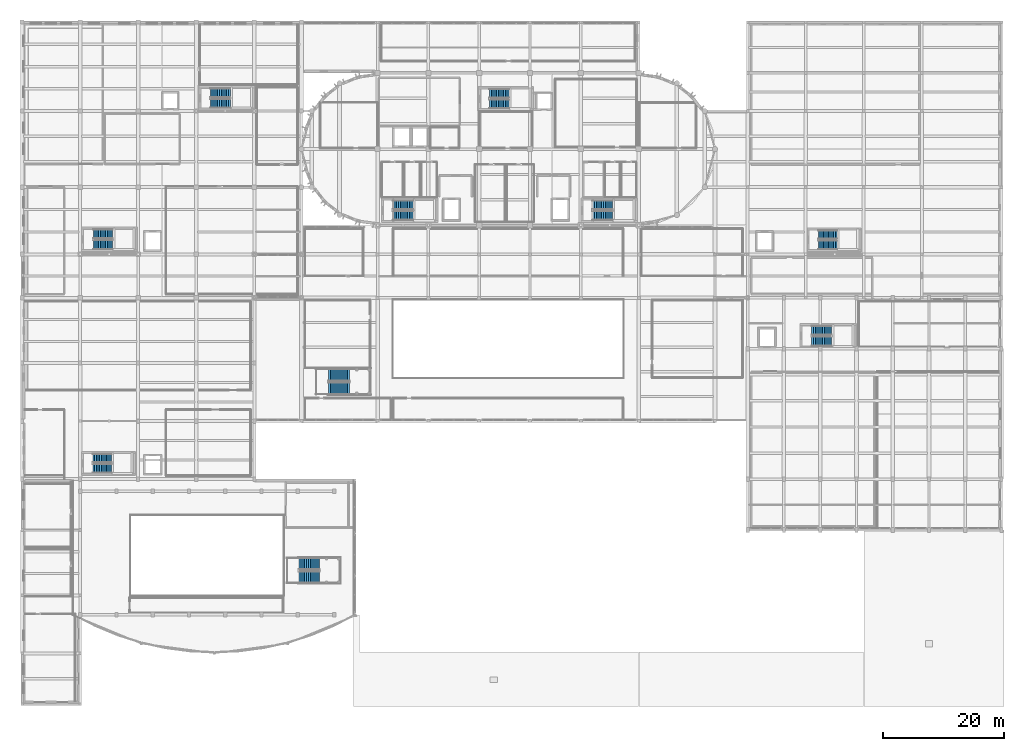
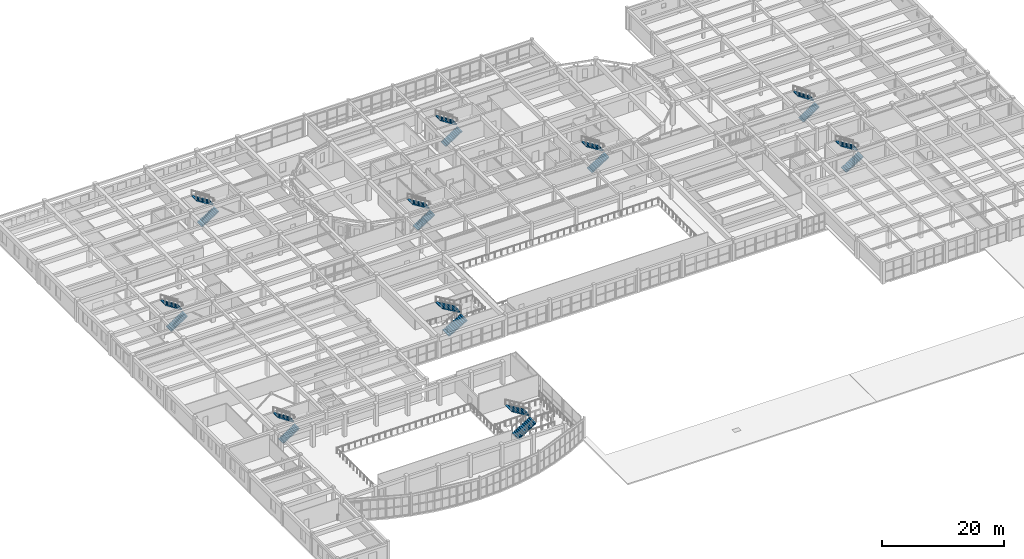
# One storey, part 74 of 92: 20 stair flights, 10 elements without a shape of their own.
"""IFC4 building model written with IfcOpenShell, lengths in metres."""

from ifc_helpers import new_model, si_unit, direction, frame, origin, place, context, subcontext, project, spatial, polyline, outline, extrude, material, type_object, element, aggregate, save


model = new_model("IFC4")

# Units and contexts
model_context = context("Model", 3, precision=1e-05, world=origin(), true_north=direction((0.0, 1.0)))
body_context = subcontext(model_context, "Body", "Model", "MODEL_VIEW")
ifc_project = project(units=[si_unit("LENGTHUNIT", "METRE"), si_unit("AREAUNIT", "SQUARE_METRE"), si_unit("VOLUMEUNIT", "CUBIC_METRE"), si_unit("PLANEANGLEUNIT", "RADIAN"), si_unit("MASSUNIT", "GRAM", prefix="KILO")], contexts=[model_context])

# Site, building, storey
site_placement = place(None, origin())
site = spatial("IfcSite", under=ifc_project, at=site_placement, CompositionType="ELEMENT")
building_placement = place(site_placement, origin())
building = spatial("IfcBuilding", under=site, at=building_placement, Name="Tarnavel Promenade Courthouse", CompositionType="ELEMENT")
storey_placement = place(building_placement, frame((0.0, 0.0, 5.39990234375)))
storey = spatial("IfcBuildingStorey", under=building, at=storey_placement, Name="L02", CompositionType="ELEMENT", Elevation=5.39990234375)

# Stair, stair flights
ifc_material = material(Name="Concrete C35/45", Category="concrete")
stair_type_1 = type_object("IfcStairType", Name="Concrete C35/45 Half-Turn Stair STR-03 (1560W-300G-24R)", PredefinedType="HALF_TURN_STAIR", material=ifc_material)
stair_1_placement = place(storey_placement, origin())
stair_1 = element("IfcStair", 1, at=stair_1_placement, inside=storey, type_object=stair_type_1, Name="L02 West Bar Firefighting Exit Stair", PredefinedType="HALF_TURN_STAIR")
stair_flight_type_1 = type_object("IfcStairFlightType", Name="Concrete C35/45 Stair Flight STF-03 (1560W-300G-24R)", PredefinedType="STRAIGHT", material=ifc_material)
stair_flight_1_placement = place(storey_placement, frame((61.360107421875, 80.780029296875, 0.0), z_axis=(0.0, 0.0, 1.0), x_axis=(1.0, 0.0, 0.0)))
stair_flight_1 = element("IfcStairFlight", 2, at=stair_flight_1_placement, type_object=stair_flight_type_1, Name="ST-01 flight 1", NumberOfRisers=12, NumberOfTreads=11, PredefinedType="STRAIGHT", RiserHeight=0.1875, TreadLength=0.3, context=body_context, shape_type="SweptSolid", body=[
    extrude(outline(polyline([(0.0, 0.0), (0.0, 0.1875), (0.300048828125, 0.1875), (0.300048828125, 0.375), (0.60009765625, 0.375), (0.60009765625, 0.5625), (0.89990234375, 0.5625), (0.89990234375, 0.75), (1.199951171875, 0.75), (1.199951171875, 0.9375), (1.5, 0.9375), (1.5, 1.125), (1.800048828125, 1.125), (1.800048828125, 1.3125), (2.10009765625, 1.3125), (2.10009765625, 1.5), (2.39990234375, 1.5), (2.39990234375, 1.6875), (2.699951171875, 1.6875), (2.699951171875, 1.875), (3.0, 1.875), (3.0, 2.0625), (3.300048828125, 2.0625), (3.300048828125, 2.25), (3.300048828125, 1.8857421875), (0.28271484375, 0.0), (0.0, 0.0)])), frame((0.0, 0.780029296875, 0.0), z_axis=(0.0, -1.0, 0.0), x_axis=(1.0, 0.0, 0.0)), (0.0, 0.0, 1.0), 1.56005859375),
])
stair_flight_2_placement = place(storey_placement, frame((64.659912109375, 82.5400390625, 2.25), z_axis=(0.0, 0.0, 1.0), x_axis=(-1.0, 0.0, 0.0)))
stair_flight_2 = element("IfcStairFlight", 3, at=stair_flight_2_placement, type_object=stair_flight_type_1, Name="ST-01 flight 2", NumberOfRisers=12, NumberOfTreads=11, PredefinedType="STRAIGHT", RiserHeight=0.1875, TreadLength=0.3, context=body_context, shape_type="SweptSolid", body=[
    extrude(outline(polyline([(0.0, 0.0), (0.0, 0.1875), (0.300048828125, 0.1875), (0.300048828125, 0.375), (0.60009765625, 0.375), (0.60009765625, 0.5625), (0.89990234375, 0.5625), (0.89990234375, 0.75), (1.199951171875, 0.75), (1.199951171875, 0.9375), (1.5, 0.9375), (1.5, 1.125), (1.800048828125, 1.125), (1.800048828125, 1.3125), (2.10009765625, 1.3125), (2.10009765625, 1.5), (2.39990234375, 1.5), (2.39990234375, 1.6875), (2.699951171875, 1.6875), (2.699951171875, 1.875), (3.0, 1.875), (3.0, 2.0625), (3.300048828125, 2.0625), (3.300048828125, 2.25), (3.300048828125, 1.8857421875), (0.28271484375, 0.0), (0.0, 0.0)])), frame((0.0, 0.780029296875, 0.0), z_axis=(0.0, -1.0, 0.0), x_axis=(1.0, 0.0, 0.0)), (0.0, 0.0, 1.0), 1.56005859375),
])
aggregate(stair_1, [stair_flight_1, stair_flight_2])

stair_2_placement = place(storey_placement, origin())
stair_2 = element("IfcStair", 4, at=stair_2_placement, inside=storey, type_object=stair_type_1, Name="L02 East Bar Firefighting Exit Stair", PredefinedType="HALF_TURN_STAIR")
stair_flight_3_placement = place(storey_placement, frame((94.360107421875, 80.780029296875, 0.0), z_axis=(0.0, 0.0, 1.0), x_axis=(1.0, 0.0, 0.0)))
stair_flight_3 = element("IfcStairFlight", 5, at=stair_flight_3_placement, type_object=stair_flight_type_1, Name="ST-02 flight 1", NumberOfRisers=12, NumberOfTreads=11, PredefinedType="STRAIGHT", RiserHeight=0.1875, TreadLength=0.3, context=body_context, shape_type="SweptSolid", body=[
    extrude(outline(polyline([(0.0, 0.0), (0.0, 0.1875), (0.300048828125, 0.1875), (0.300048828125, 0.375), (0.60009765625, 0.375), (0.60009765625, 0.5625), (0.89990234375, 0.5625), (0.89990234375, 0.75), (1.199951171875, 0.75), (1.199951171875, 0.9375), (1.5, 0.9375), (1.5, 1.125), (1.800048828125, 1.125), (1.800048828125, 1.3125), (2.10009765625, 1.3125), (2.10009765625, 1.5), (2.39990234375, 1.5), (2.39990234375, 1.6875), (2.699951171875, 1.6875), (2.699951171875, 1.875), (3.0, 1.875), (3.0, 2.0625), (3.300048828125, 2.0625), (3.300048828125, 2.25), (3.300048828125, 1.8857421875), (0.28271484375, 0.0), (0.0, 0.0)])), frame((0.0, 0.780029296875, 0.0), z_axis=(0.0, -1.0, 0.0), x_axis=(1.0, 0.0, 0.0)), (0.0, 0.0, 1.0), 1.56005859375),
])
stair_flight_4_placement = place(storey_placement, frame((97.659912109375, 82.5400390625, 2.25), z_axis=(0.0, 0.0, 1.0), x_axis=(-1.0, 0.0, 0.0)))
stair_flight_4 = element("IfcStairFlight", 6, at=stair_flight_4_placement, type_object=stair_flight_type_1, Name="ST-02 flight 2", NumberOfRisers=12, NumberOfTreads=11, PredefinedType="STRAIGHT", RiserHeight=0.1875, TreadLength=0.3, context=body_context, shape_type="SweptSolid", body=[
    extrude(outline(polyline([(0.0, 0.0), (0.0, 0.1875), (0.300048828125, 0.1875), (0.300048828125, 0.375), (0.60009765625, 0.375), (0.60009765625, 0.5625), (0.89990234375, 0.5625), (0.89990234375, 0.75), (1.199951171875, 0.75), (1.199951171875, 0.9375), (1.5, 0.9375), (1.5, 1.125), (1.800048828125, 1.125), (1.800048828125, 1.3125), (2.10009765625, 1.3125), (2.10009765625, 1.5), (2.39990234375, 1.5), (2.39990234375, 1.6875), (2.699951171875, 1.6875), (2.699951171875, 1.875), (3.0, 1.875), (3.0, 2.0625), (3.300048828125, 2.0625), (3.300048828125, 2.25), (3.300048828125, 1.8857421875), (0.28271484375, 0.0), (0.0, 0.0)])), frame((0.0, 0.780029296875, 0.0), z_axis=(0.0, -1.0, 0.0), x_axis=(1.0, 0.0, 0.0)), (0.0, 0.0, 1.0), 1.56005859375),
])
aggregate(stair_2, [stair_flight_3, stair_flight_4])

stair_type_2 = type_object("IfcStairType", Name="Concrete C35/45 Half-Turn Stair STR-06 (1520W-290G-24R)", PredefinedType="HALF_TURN_STAIR", material=ifc_material)
stair_3_placement = place(storey_placement, origin())
stair_3 = element("IfcStair", 7, at=stair_3_placement, inside=storey, type_object=stair_type_2, Name="L02 Central Judicial Chambers Exit Stair", PredefinedType="HALF_TURN_STAIR")
stair_flight_type_2 = type_object("IfcStairFlightType", Name="Concrete C35/45 Stair Flight STF-06 (1520W-290G-24R)", PredefinedType="STRAIGHT", material=ifc_material)
stair_flight_5_placement = place(storey_placement, frame((77.320068359375, 99.260009765625, 0.0), z_axis=(0.0, 0.0, 1.0), x_axis=(1.0, 0.0, 0.0)))
stair_flight_5 = element("IfcStairFlight", 8, at=stair_flight_5_placement, type_object=stair_flight_type_2, Name="ST-03 flight 1", NumberOfRisers=12, NumberOfTreads=11, PredefinedType="STRAIGHT", RiserHeight=0.1875, TreadLength=0.29, context=body_context, shape_type="SweptSolid", body=[
    extrude(outline(polyline([(0.0, 0.0), (0.0, 0.1875), (0.2900390625, 0.1875), (0.2900390625, 0.375), (0.580078125, 0.375), (0.580078125, 0.5625), (0.8701171875, 0.5625), (0.8701171875, 0.75), (1.159912109375, 0.75), (1.159912109375, 0.9375), (1.449951171875, 0.9375), (1.449951171875, 1.125), (1.739990234375, 1.125), (1.739990234375, 1.3125), (2.030029296875, 1.3125), (2.030029296875, 1.5), (2.320068359375, 1.5), (2.320068359375, 1.6875), (2.610107421875, 1.6875), (2.610107421875, 1.875), (2.89990234375, 1.875), (2.89990234375, 2.0625), (3.18994140625, 2.0625), (3.18994140625, 2.25), (3.18994140625, 1.884033203125), (0.276123046875, 0.0), (0.0, 0.0)])), frame((0.0, 0.760009765625, 0.0), z_axis=(0.0, -1.0, 0.0), x_axis=(1.0, 0.0, 0.0)), (0.0, 0.0, 1.0), 1.52001953125),
])
stair_flight_6_placement = place(storey_placement, frame((80.510009765625, 100.97998046875, 2.25), z_axis=(0.0, 0.0, 1.0), x_axis=(-1.0, 0.0, 0.0)))
stair_flight_6 = element("IfcStairFlight", 9, at=stair_flight_6_placement, type_object=stair_flight_type_2, Name="ST-03 flight 2", NumberOfRisers=12, NumberOfTreads=11, PredefinedType="STRAIGHT", RiserHeight=0.1875, TreadLength=0.29, context=body_context, shape_type="SweptSolid", body=[
    extrude(outline(polyline([(0.0, 0.0), (0.0, 0.1875), (0.2900390625, 0.1875), (0.2900390625, 0.375), (0.580078125, 0.375), (0.580078125, 0.5625), (0.8701171875, 0.5625), (0.8701171875, 0.75), (1.159912109375, 0.75), (1.159912109375, 0.9375), (1.449951171875, 0.9375), (1.449951171875, 1.125), (1.739990234375, 1.125), (1.739990234375, 1.3125), (2.030029296875, 1.3125), (2.030029296875, 1.5), (2.320068359375, 1.5), (2.320068359375, 1.6875), (2.610107421875, 1.6875), (2.610107421875, 1.875), (2.89990234375, 1.875), (2.89990234375, 2.0625), (3.18994140625, 2.0625), (3.18994140625, 2.25), (3.18994140625, 1.884033203125), (0.276123046875, 0.0), (0.0, 0.0)])), frame((0.0, 0.760009765625, 0.0), z_axis=(0.0, -1.0, 0.0), x_axis=(1.0, 0.0, 0.0)), (0.0, 0.0, 1.0), 1.52001953125),
])
aggregate(stair_3, [stair_flight_5, stair_flight_6])

stair_type_3 = type_object("IfcStairType", Name="Concrete C35/45 Half-Turn Stair STR-09 (1580W-290G-24R)", PredefinedType="HALF_TURN_STAIR", material=ifc_material)
stair_4_placement = place(storey_placement, origin())
stair_4 = element("IfcStair", 10, at=stair_4_placement, inside=storey, type_object=stair_type_3, Name="L02 Trial Courts West Exit Stair", PredefinedType="HALF_TURN_STAIR")
stair_flight_type_3 = type_object("IfcStairFlightType", Name="Concrete C35/45 Stair Flight STF-09 (1580W-290G-24R)", PredefinedType="STRAIGHT", material=ifc_material)
stair_flight_7_placement = place(storey_placement, frame((11.780029296875, 75.989990234375, 0.0), z_axis=(0.0, 0.0, 1.0), x_axis=(1.0, 0.0, 0.0)))
stair_flight_7 = element("IfcStairFlight", 11, at=stair_flight_7_placement, type_object=stair_flight_type_3, Name="ST-04 flight 1", NumberOfRisers=12, NumberOfTreads=11, PredefinedType="STRAIGHT", RiserHeight=0.1875, TreadLength=0.29, context=body_context, shape_type="SweptSolid", body=[
    extrude(outline(polyline([(0.0, 0.0), (0.0, 0.1875), (0.2900390625, 0.1875), (0.2900390625, 0.375), (0.580078125, 0.375), (0.580078125, 0.5625), (0.8701171875, 0.5625), (0.8701171875, 0.75), (1.159912109375, 0.75), (1.159912109375, 0.9375), (1.449951171875, 0.9375), (1.449951171875, 1.125), (1.739990234375, 1.125), (1.739990234375, 1.3125), (2.030029296875, 1.3125), (2.030029296875, 1.5), (2.320068359375, 1.5), (2.320068359375, 1.6875), (2.610107421875, 1.6875), (2.610107421875, 1.875), (2.89990234375, 1.875), (2.89990234375, 2.0625), (3.18994140625, 2.0625), (3.18994140625, 2.25), (3.18994140625, 1.884033203125), (0.276123046875, 0.0), (0.0, 0.0)])), frame((0.0, 0.7900390625, 0.0), z_axis=(0.0, -1.0, 0.0), x_axis=(1.0, 0.0, 0.0)), (0.0, 0.0, 1.0), 1.580078125),
])
stair_flight_8_placement = place(storey_placement, frame((14.969970703125, 77.77001953125, 2.25), z_axis=(0.0, 0.0, 1.0), x_axis=(-1.0, 0.0, 0.0)))
stair_flight_8 = element("IfcStairFlight", 12, at=stair_flight_8_placement, type_object=stair_flight_type_3, Name="ST-04 flight 2", NumberOfRisers=12, NumberOfTreads=11, PredefinedType="STRAIGHT", RiserHeight=0.1875, TreadLength=0.29, context=body_context, shape_type="SweptSolid", body=[
    extrude(outline(polyline([(0.0, 0.0), (0.0, 0.1875), (0.2900390625, 0.1875), (0.2900390625, 0.375), (0.580078125, 0.375), (0.580078125, 0.5625), (0.8701171875, 0.5625), (0.8701171875, 0.75), (1.159912109375, 0.75), (1.159912109375, 0.9375), (1.449951171875, 0.9375), (1.449951171875, 1.125), (1.739990234375, 1.125), (1.739990234375, 1.3125), (2.030029296875, 1.3125), (2.030029296875, 1.5), (2.320068359375, 1.5), (2.320068359375, 1.6875), (2.610107421875, 1.6875), (2.610107421875, 1.875), (2.89990234375, 1.875), (2.89990234375, 2.0625), (3.18994140625, 2.0625), (3.18994140625, 2.25), (3.18994140625, 1.884033203125), (0.276123046875, 0.0), (0.0, 0.0)])), frame((0.0, 0.7900390625, 0.0), z_axis=(0.0, -1.0, 0.0), x_axis=(1.0, 0.0, 0.0)), (0.0, 0.0, 1.0), 1.580078125),
])
aggregate(stair_4, [stair_flight_7, stair_flight_8])

stair_type_4 = type_object("IfcStairType", Name="Concrete C35/45 Half-Turn Stair STR-12 (1540W-300G-24R)", PredefinedType="HALF_TURN_STAIR", material=ifc_material)
stair_5_placement = place(storey_placement, origin())
stair_5 = element("IfcStair", 13, at=stair_5_placement, inside=storey, type_object=stair_type_4, Name="L02 Trial Courts North Exit Stair", PredefinedType="HALF_TURN_STAIR")
stair_flight_type_4 = type_object("IfcStairFlightType", Name="Concrete C35/45 Stair Flight STF-12 (1540W-300G-24R)", PredefinedType="STRAIGHT", material=ifc_material)
stair_flight_9_placement = place(storey_placement, frame((31.139892578125, 99.3701171875, 0.0), z_axis=(0.0, 0.0, 1.0), x_axis=(1.0, 0.0, 0.0)))
stair_flight_9 = element("IfcStairFlight", 14, at=stair_flight_9_placement, type_object=stair_flight_type_4, Name="ST-07 flight 1", NumberOfRisers=12, NumberOfTreads=11, PredefinedType="STRAIGHT", RiserHeight=0.1875, TreadLength=0.3, context=body_context, shape_type="SweptSolid", body=[
    extrude(outline(polyline([(0.0, 0.0), (0.0, 0.1875), (0.300048828125, 0.1875), (0.300048828125, 0.375), (0.60009765625, 0.375), (0.60009765625, 0.5625), (0.89990234375, 0.5625), (0.89990234375, 0.75), (1.199951171875, 0.75), (1.199951171875, 0.9375), (1.5, 0.9375), (1.5, 1.125), (1.800048828125, 1.125), (1.800048828125, 1.3125), (2.10009765625, 1.3125), (2.10009765625, 1.5), (2.39990234375, 1.5), (2.39990234375, 1.6875), (2.699951171875, 1.6875), (2.699951171875, 1.875), (3.0, 1.875), (3.0, 2.0625), (3.300048828125, 2.0625), (3.300048828125, 2.25), (3.300048828125, 1.8857421875), (0.28271484375, 0.0), (0.0, 0.0)])), frame((0.0, 0.77001953125, 0.0), z_axis=(0.0, -1.0, 0.0), x_axis=(1.0, 0.0, 0.0)), (0.0, 0.0, 1.0), 1.5400390625),
])
stair_flight_10_placement = place(storey_placement, frame((34.43994140625, 101.110107421875, 2.25), z_axis=(0.0, 0.0, 1.0), x_axis=(-1.0, 0.0, 0.0)))
stair_flight_10 = element("IfcStairFlight", 15, at=stair_flight_10_placement, type_object=stair_flight_type_4, Name="ST-07 flight 2", NumberOfRisers=12, NumberOfTreads=11, PredefinedType="STRAIGHT", RiserHeight=0.1875, TreadLength=0.3, context=body_context, shape_type="SweptSolid", body=[
    extrude(outline(polyline([(0.0, 0.0), (0.0, 0.1875), (0.300048828125, 0.1875), (0.300048828125, 0.375), (0.60009765625, 0.375), (0.60009765625, 0.5625), (0.89990234375, 0.5625), (0.89990234375, 0.75), (1.199951171875, 0.75), (1.199951171875, 0.9375), (1.5, 0.9375), (1.5, 1.125), (1.800048828125, 1.125), (1.800048828125, 1.3125), (2.10009765625, 1.3125), (2.10009765625, 1.5), (2.39990234375, 1.5), (2.39990234375, 1.6875), (2.699951171875, 1.6875), (2.699951171875, 1.875), (3.0, 1.875), (3.0, 2.0625), (3.300048828125, 2.0625), (3.300048828125, 2.25), (3.300048828125, 1.8857421875), (0.28271484375, 0.0), (0.0, 0.0)])), frame((0.0, 0.77001953125, 0.0), z_axis=(0.0, -1.0, 0.0), x_axis=(1.0, 0.0, 0.0)), (0.0, 0.0, 1.0), 1.5400390625),
])
aggregate(stair_5, [stair_flight_9, stair_flight_10])

stair_type_5 = type_object("IfcStairType", Name="Concrete C35/45 Half-Turn Stair STR-14 (1520W-280G-24R)", PredefinedType="HALF_TURN_STAIR", material=ifc_material)
stair_6_placement = place(storey_placement, origin())
stair_6 = element("IfcStair", 16, at=stair_6_placement, inside=storey, type_object=stair_type_5, Name="L02 Law Library Exit Stair", PredefinedType="HALF_TURN_STAIR")
stair_flight_type_5 = type_object("IfcStairFlightType", Name="Concrete C35/45 Stair Flight STF-14 (1520W-280G-24R)", PredefinedType="STRAIGHT", material=ifc_material)
stair_flight_11_placement = place(storey_placement, frame((11.719970703125, 38.9599609375, 0.0), z_axis=(0.0, 0.0, 1.0), x_axis=(1.0, 0.0, 0.0)))
stair_flight_11 = element("IfcStairFlight", 17, at=stair_flight_11_placement, type_object=stair_flight_type_5, Name="ST-05 flight 1", NumberOfRisers=12, NumberOfTreads=11, PredefinedType="STRAIGHT", RiserHeight=0.1875, TreadLength=0.28, context=body_context, shape_type="SweptSolid", body=[
    extrude(outline(polyline([(0.0, 0.0), (0.0, 0.1875), (0.280029296875, 0.1875), (0.280029296875, 0.375), (0.56005859375, 0.375), (0.56005859375, 0.5625), (0.840087890625, 0.5625), (0.840087890625, 0.75), (1.1201171875, 0.75), (1.1201171875, 0.9375), (1.39990234375, 0.9375), (1.39990234375, 1.125), (1.679931640625, 1.125), (1.679931640625, 1.3125), (1.9599609375, 1.3125), (1.9599609375, 1.5), (2.239990234375, 1.5), (2.239990234375, 1.6875), (2.52001953125, 1.6875), (2.52001953125, 1.875), (2.800048828125, 1.875), (2.800048828125, 2.0625), (3.080078125, 2.0625), (3.080078125, 2.25), (3.080078125, 1.882080078125), (0.26953125, 0.0), (0.0, 0.0)])), frame((0.0, 0.760009765625, 0.0), z_axis=(0.0, -1.0, 0.0), x_axis=(1.0, 0.0, 0.0)), (0.0, 0.0, 1.0), 1.52001953125),
])
stair_flight_12_placement = place(storey_placement, frame((14.800048828125, 40.679931640625, 2.25), z_axis=(0.0, 0.0, 1.0), x_axis=(-1.0, 0.0, 0.0)))
stair_flight_12 = element("IfcStairFlight", 18, at=stair_flight_12_placement, type_object=stair_flight_type_5, Name="ST-05 flight 2", NumberOfRisers=12, NumberOfTreads=11, PredefinedType="STRAIGHT", RiserHeight=0.1875, TreadLength=0.28, context=body_context, shape_type="SweptSolid", body=[
    extrude(outline(polyline([(0.0, 0.0), (0.0, 0.1875), (0.280029296875, 0.1875), (0.280029296875, 0.375), (0.56005859375, 0.375), (0.56005859375, 0.5625), (0.840087890625, 0.5625), (0.840087890625, 0.75), (1.1201171875, 0.75), (1.1201171875, 0.9375), (1.39990234375, 0.9375), (1.39990234375, 1.125), (1.679931640625, 1.125), (1.679931640625, 1.3125), (1.9599609375, 1.3125), (1.9599609375, 1.5), (2.239990234375, 1.5), (2.239990234375, 1.6875), (2.52001953125, 1.6875), (2.52001953125, 1.875), (2.800048828125, 1.875), (2.800048828125, 2.0625), (3.080078125, 2.0625), (3.080078125, 2.25), (3.080078125, 1.882080078125), (0.26953125, 0.0), (0.0, 0.0)])), frame((0.0, 0.760009765625, 0.0), z_axis=(0.0, -1.0, 0.0), x_axis=(1.0, 0.0, 0.0)), (0.0, 0.0, 1.0), 1.52001953125),
])
aggregate(stair_6, [stair_flight_11, stair_flight_12])

stair_type_6 = type_object("IfcStairType", Name="Concrete C35/45 Half-Turn Stair STR-17 (1500W-280G-24R)", PredefinedType="HALF_TURN_STAIR", material=ifc_material)
stair_7_placement = place(storey_placement, origin())
stair_7 = element("IfcStair", 19, at=stair_7_placement, inside=storey, type_object=stair_type_6, Name="L02 Custody Suite Protected Exit Stair", PredefinedType="HALF_TURN_STAIR")
stair_flight_type_6 = type_object("IfcStairFlightType", Name="Concrete C35/45 Stair Flight STF-17 (1500W-280G-24R)", PredefinedType="STRAIGHT", material=ifc_material)
stair_flight_13_placement = place(storey_placement, frame((131.699951171875, 75.949951171875, 0.0), z_axis=(0.0, 0.0, 1.0), x_axis=(1.0, 0.0, 0.0)))
stair_flight_13 = element("IfcStairFlight", 20, at=stair_flight_13_placement, type_object=stair_flight_type_6, Name="ST-06 flight 1", NumberOfRisers=12, NumberOfTreads=11, PredefinedType="STRAIGHT", RiserHeight=0.1875, TreadLength=0.28, context=body_context, shape_type="SweptSolid", body=[
    extrude(outline(polyline([(0.0, 0.0), (0.0, 0.1875), (0.280029296875, 0.1875), (0.280029296875, 0.375), (0.56005859375, 0.375), (0.56005859375, 0.5625), (0.840087890625, 0.5625), (0.840087890625, 0.75), (1.1201171875, 0.75), (1.1201171875, 0.9375), (1.39990234375, 0.9375), (1.39990234375, 1.125), (1.679931640625, 1.125), (1.679931640625, 1.3125), (1.9599609375, 1.3125), (1.9599609375, 1.5), (2.239990234375, 1.5), (2.239990234375, 1.6875), (2.52001953125, 1.6875), (2.52001953125, 1.875), (2.800048828125, 1.875), (2.800048828125, 2.0625), (3.080078125, 2.0625), (3.080078125, 2.25), (3.080078125, 1.882080078125), (0.26953125, 0.0), (0.0, 0.0)])), frame((0.0, 0.75, 0.0), z_axis=(0.0, -1.0, 0.0), x_axis=(1.0, 0.0, 0.0)), (0.0, 0.0, 1.0), 1.5),
])
stair_flight_14_placement = place(storey_placement, frame((134.780029296875, 77.64990234375, 2.25), z_axis=(0.0, 0.0, 1.0), x_axis=(-1.0, 0.0, 0.0)))
stair_flight_14 = element("IfcStairFlight", 21, at=stair_flight_14_placement, type_object=stair_flight_type_6, Name="ST-06 flight 2", NumberOfRisers=12, NumberOfTreads=11, PredefinedType="STRAIGHT", RiserHeight=0.1875, TreadLength=0.28, context=body_context, shape_type="SweptSolid", body=[
    extrude(outline(polyline([(0.0, 0.0), (0.0, 0.1875), (0.280029296875, 0.1875), (0.280029296875, 0.375), (0.56005859375, 0.375), (0.56005859375, 0.5625), (0.840087890625, 0.5625), (0.840087890625, 0.75), (1.1201171875, 0.75), (1.1201171875, 0.9375), (1.39990234375, 0.9375), (1.39990234375, 1.125), (1.679931640625, 1.125), (1.679931640625, 1.3125), (1.9599609375, 1.3125), (1.9599609375, 1.5), (2.239990234375, 1.5), (2.239990234375, 1.6875), (2.52001953125, 1.6875), (2.52001953125, 1.875), (2.800048828125, 1.875), (2.800048828125, 2.0625), (3.080078125, 2.0625), (3.080078125, 2.25), (3.080078125, 1.882080078125), (0.26953125, 0.0), (0.0, 0.0)])), frame((0.0, 0.75, 0.0), z_axis=(0.0, -1.0, 0.0), x_axis=(1.0, 0.0, 0.0)), (0.0, 0.0, 1.0), 1.5),
])
aggregate(stair_7, [stair_flight_13, stair_flight_14])

stair_type_7 = type_object("IfcStairType", Name="Concrete C35/45 Half-Turn Stair STR-19 (1600W-300G-24R)", PredefinedType="HALF_TURN_STAIR", material=ifc_material)
stair_8_placement = place(storey_placement, origin())
stair_8 = element("IfcStair", 22, at=stair_8_placement, inside=storey, type_object=stair_type_7, Name="L02 Ceremonial Pavilion Exit Stair", PredefinedType="HALF_TURN_STAIR")
stair_flight_type_7 = type_object("IfcStairFlightType", Name="Concrete C35/45 Stair Flight STF-19 (1600W-300G-24R)", PredefinedType="STRAIGHT", material=ifc_material)
stair_flight_15_placement = place(storey_placement, frame((130.60009765625, 60.0, 0.0), z_axis=(0.0, 0.0, 1.0), x_axis=(1.0, 0.0, 0.0)))
stair_flight_15 = element("IfcStairFlight", 23, at=stair_flight_15_placement, type_object=stair_flight_type_7, Name="ST-08 flight 1", NumberOfRisers=12, NumberOfTreads=11, PredefinedType="STRAIGHT", RiserHeight=0.1875, TreadLength=0.3, context=body_context, shape_type="SweptSolid", body=[
    extrude(outline(polyline([(0.0, 0.0), (0.0, 0.1875), (0.300048828125, 0.1875), (0.300048828125, 0.375), (0.60009765625, 0.375), (0.60009765625, 0.5625), (0.89990234375, 0.5625), (0.89990234375, 0.75), (1.199951171875, 0.75), (1.199951171875, 0.9375), (1.5, 0.9375), (1.5, 1.125), (1.800048828125, 1.125), (1.800048828125, 1.3125), (2.10009765625, 1.3125), (2.10009765625, 1.5), (2.39990234375, 1.5), (2.39990234375, 1.6875), (2.699951171875, 1.6875), (2.699951171875, 1.875), (3.0, 1.875), (3.0, 2.0625), (3.300048828125, 2.0625), (3.300048828125, 2.25), (3.300048828125, 1.8857421875), (0.28271484375, 0.0), (0.0, 0.0)])), frame((0.0, 0.800048828125, 0.0), z_axis=(0.0, -1.0, 0.0), x_axis=(1.0, 0.0, 0.0)), (0.0, 0.0, 1.0), 1.60009765625),
])
stair_flight_16_placement = place(storey_placement, frame((133.89990234375, 61.800048828125, 2.25), z_axis=(0.0, 0.0, 1.0), x_axis=(-1.0, 0.0, 0.0)))
stair_flight_16 = element("IfcStairFlight", 24, at=stair_flight_16_placement, type_object=stair_flight_type_7, Name="ST-08 flight 2", NumberOfRisers=12, NumberOfTreads=11, PredefinedType="STRAIGHT", RiserHeight=0.1875, TreadLength=0.3, context=body_context, shape_type="SweptSolid", body=[
    extrude(outline(polyline([(0.0, 0.0), (0.0, 0.1875), (0.300048828125, 0.1875), (0.300048828125, 0.375), (0.60009765625, 0.375), (0.60009765625, 0.5625), (0.89990234375, 0.5625), (0.89990234375, 0.75), (1.199951171875, 0.75), (1.199951171875, 0.9375), (1.5, 0.9375), (1.5, 1.125), (1.800048828125, 1.125), (1.800048828125, 1.3125), (2.10009765625, 1.3125), (2.10009765625, 1.5), (2.39990234375, 1.5), (2.39990234375, 1.6875), (2.699951171875, 1.6875), (2.699951171875, 1.875), (3.0, 1.875), (3.0, 2.0625), (3.300048828125, 2.0625), (3.300048828125, 2.25), (3.300048828125, 1.8857421875), (0.28271484375, 0.0), (0.0, 0.0)])), frame((0.0, 0.800048828125, 0.0), z_axis=(0.0, -1.0, 0.0), x_axis=(1.0, 0.0, 0.0)), (0.0, 0.0, 1.0), 1.60009765625),
])
aggregate(stair_8, [stair_flight_15, stair_flight_16])

stair_type_8 = type_object("IfcStairType", Name="Concrete C35/45 Half-Turn Stair STR-21 (2000W-310G-24R)", PredefinedType="HALF_TURN_STAIR", material=ifc_material)
stair_9_placement = place(storey_placement, origin())
stair_9 = element("IfcStair", 25, at=stair_9_placement, inside=storey, type_object=stair_type_8, Name="L02 Public Hall Gallery Stair", PredefinedType="HALF_TURN_STAIR")
stair_flight_type_8 = type_object("IfcStairFlightType", Name="Concrete C35/45 Stair Flight STF-21 (2000W-310G-24R)", PredefinedType="STRAIGHT", material=ifc_material)
stair_flight_17_placement = place(storey_placement, frame((45.800048828125, 21.0, 0.0), z_axis=(0.0, 0.0, 1.0), x_axis=(1.0, 0.0, 0.0)))
stair_flight_17 = element("IfcStairFlight", 26, at=stair_flight_17_placement, type_object=stair_flight_type_8, Name="ST-09 flight 1", NumberOfRisers=12, NumberOfTreads=11, PredefinedType="STRAIGHT", RiserHeight=0.1875, TreadLength=0.31, context=body_context, shape_type="SweptSolid", body=[
    extrude(outline(polyline([(0.0, 0.0), (0.0, 0.1875), (0.31005859375, 0.1875), (0.31005859375, 0.375), (0.6201171875, 0.375), (0.6201171875, 0.5625), (0.929931640625, 0.5625), (0.929931640625, 0.75), (1.239990234375, 0.75), (1.239990234375, 0.9375), (1.550048828125, 0.9375), (1.550048828125, 1.125), (1.860107421875, 1.125), (1.860107421875, 1.3125), (2.169921875, 1.3125), (2.169921875, 1.5), (2.47998046875, 1.5), (2.47998046875, 1.6875), (2.7900390625, 1.6875), (2.7900390625, 1.875), (3.10009765625, 1.875), (3.10009765625, 2.0625), (3.409912109375, 2.0625), (3.409912109375, 2.25), (3.409912109375, 1.88720703125), (0.28955078125, 0.0), (0.0, 0.0)])), frame((0.0, 1.0, 0.0), z_axis=(0.0, -1.0, 0.0), x_axis=(1.0, 0.0, 0.0)), (0.0, 0.0, 1.0), 2.0),
])
stair_flight_18_placement = place(storey_placement, frame((49.2099609375, 23.199951171875, 2.25), z_axis=(0.0, 0.0, 1.0), x_axis=(-1.0, 0.0, 0.0)))
stair_flight_18 = element("IfcStairFlight", 27, at=stair_flight_18_placement, type_object=stair_flight_type_8, Name="ST-09 flight 2", NumberOfRisers=12, NumberOfTreads=11, PredefinedType="STRAIGHT", RiserHeight=0.1875, TreadLength=0.31, context=body_context, shape_type="SweptSolid", body=[
    extrude(outline(polyline([(0.0, 0.0), (0.0, 0.1875), (0.31005859375, 0.1875), (0.31005859375, 0.375), (0.6201171875, 0.375), (0.6201171875, 0.5625), (0.929931640625, 0.5625), (0.929931640625, 0.75), (1.239990234375, 0.75), (1.239990234375, 0.9375), (1.550048828125, 0.9375), (1.550048828125, 1.125), (1.860107421875, 1.125), (1.860107421875, 1.3125), (2.169921875, 1.3125), (2.169921875, 1.5), (2.47998046875, 1.5), (2.47998046875, 1.6875), (2.7900390625, 1.6875), (2.7900390625, 1.875), (3.10009765625, 1.875), (3.10009765625, 2.0625), (3.409912109375, 2.0625), (3.409912109375, 2.25), (3.409912109375, 1.88720703125), (0.28955078125, 0.0), (0.0, 0.0)])), frame((0.0, 1.0, 0.0), z_axis=(0.0, -1.0, 0.0), x_axis=(1.0, 0.0, 0.0)), (0.0, 0.0, 1.0), 2.0),
])
aggregate(stair_9, [stair_flight_17, stair_flight_18])

stair_type_9 = type_object("IfcStairType", Name="Concrete C35/45 Half-Turn Stair STR-23 (2050W-320G-24R)", PredefinedType="HALF_TURN_STAIR", material=ifc_material)
stair_10_placement = place(storey_placement, origin())
stair_10 = element("IfcStair", 28, at=stair_10_placement, inside=storey, type_object=stair_type_9, Name="L02 Winter-Garden Concourse Monumental Stair", PredefinedType="HALF_TURN_STAIR")
stair_flight_type_9 = type_object("IfcStairFlightType", Name="Concrete C35/45 Stair Flight STF-23 (2050W-320G-24R)", PredefinedType="STRAIGHT", material=ifc_material)
stair_flight_19_placement = place(storey_placement, frame((50.64990234375, 52.22509765625, 0.0), z_axis=(0.0, 0.0, 1.0), x_axis=(1.0, 0.0, 0.0)))
stair_flight_19 = element("IfcStairFlight", 29, at=stair_flight_19_placement, type_object=stair_flight_type_9, Name="ST-10 flight 1", NumberOfRisers=12, NumberOfTreads=11, PredefinedType="STRAIGHT", RiserHeight=0.1875, TreadLength=0.32, context=body_context, shape_type="SweptSolid", body=[
    extrude(outline(polyline([(0.0, 0.0), (0.0, 0.1875), (0.320068359375, 0.1875), (0.320068359375, 0.375), (0.639892578125, 0.375), (0.639892578125, 0.5625), (0.9599609375, 0.5625), (0.9599609375, 0.75), (1.280029296875, 0.75), (1.280029296875, 0.9375), (1.60009765625, 0.9375), (1.60009765625, 1.125), (1.919921875, 1.125), (1.919921875, 1.3125), (2.239990234375, 1.3125), (2.239990234375, 1.5), (2.56005859375, 1.5), (2.56005859375, 1.6875), (2.8798828125, 1.6875), (2.8798828125, 1.875), (3.199951171875, 1.875), (3.199951171875, 2.0625), (3.52001953125, 2.0625), (3.52001953125, 2.25), (3.52001953125, 1.888671875), (0.296630859375, 0.0), (0.0, 0.0)])), frame((0.0, 1.02490234375, 0.0), z_axis=(0.0, -1.0, 0.0), x_axis=(1.0, 0.0, 0.0)), (0.0, 0.0, 1.0), 2.050048828125),
])
stair_flight_20_placement = place(storey_placement, frame((54.169921875, 54.47509765625, 2.25), z_axis=(0.0, 0.0, 1.0), x_axis=(-1.0, 0.0, 0.0)))
stair_flight_20 = element("IfcStairFlight", 30, at=stair_flight_20_placement, type_object=stair_flight_type_9, Name="ST-10 flight 2", NumberOfRisers=12, NumberOfTreads=11, PredefinedType="STRAIGHT", RiserHeight=0.1875, TreadLength=0.32, context=body_context, shape_type="SweptSolid", body=[
    extrude(outline(polyline([(0.0, 0.0), (0.0, 0.1875), (0.320068359375, 0.1875), (0.320068359375, 0.375), (0.639892578125, 0.375), (0.639892578125, 0.5625), (0.9599609375, 0.5625), (0.9599609375, 0.75), (1.280029296875, 0.75), (1.280029296875, 0.9375), (1.60009765625, 0.9375), (1.60009765625, 1.125), (1.919921875, 1.125), (1.919921875, 1.3125), (2.239990234375, 1.3125), (2.239990234375, 1.5), (2.56005859375, 1.5), (2.56005859375, 1.6875), (2.8798828125, 1.6875), (2.8798828125, 1.875), (3.199951171875, 1.875), (3.199951171875, 2.0625), (3.52001953125, 2.0625), (3.52001953125, 2.25), (3.52001953125, 1.888671875), (0.296630859375, 0.0), (0.0, 0.0)])), frame((0.0, 1.02490234375, 0.0), z_axis=(0.0, -1.0, 0.0), x_axis=(1.0, 0.0, 0.0)), (0.0, 0.0, 1.0), 2.050048828125),
])
aggregate(stair_10, [stair_flight_19, stair_flight_20])

save(model, "model.ifc")
